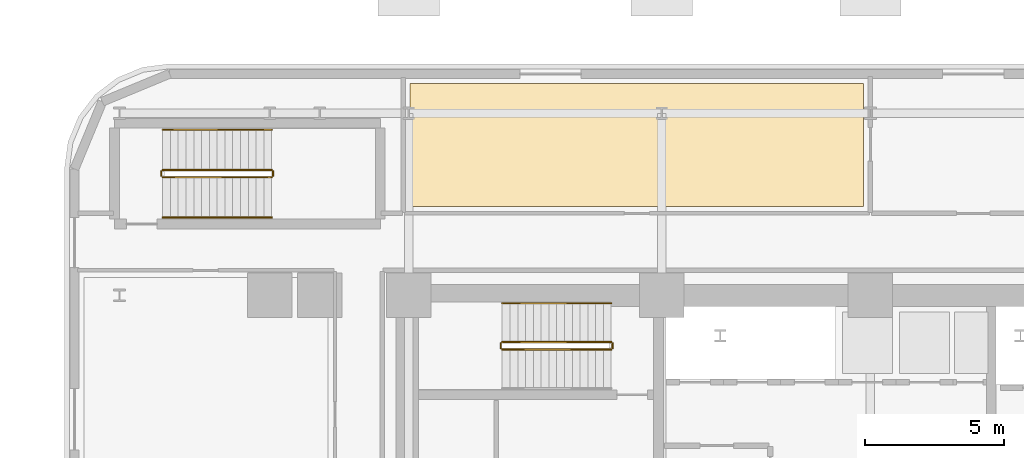
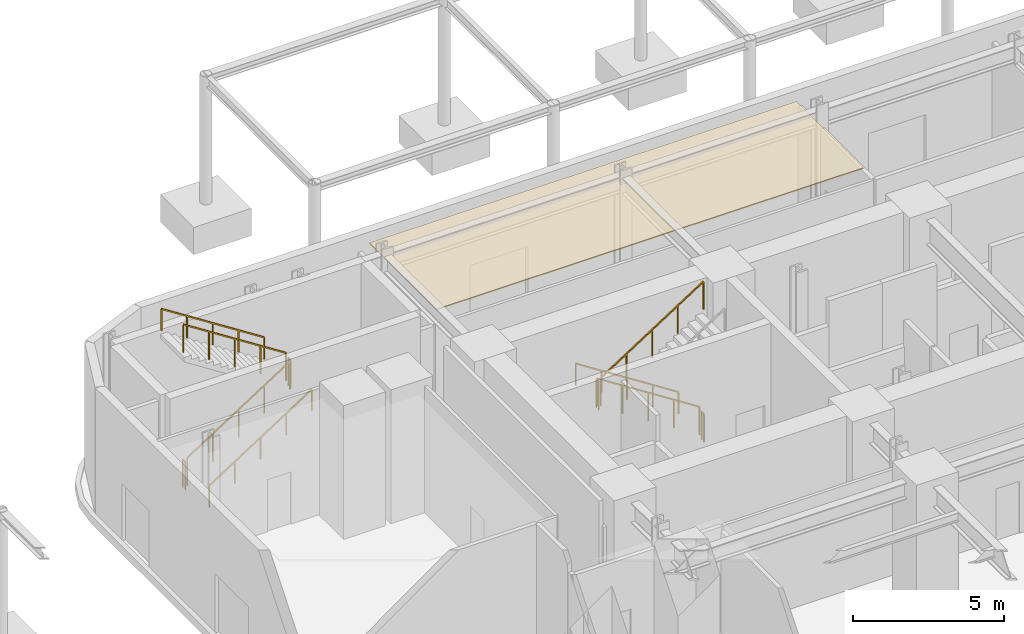
# One storey, part 18 of 21: 11 railings, 1 covering.
"""IFC4 building model written with IfcOpenShell, lengths in metres."""

from ifc_helpers import new_model, si_unit, direction, frame, origin, origin_2d, place, context, subcontext, project, spatial, polyline, rectangle, outline, extrude, material, layer, layer_set, type_object, element, save


model = new_model("IFC4")

# Units and contexts
model_context = context("Model", 3, precision=1e-05, world=origin(), true_north=direction((0.0, 1.0)))
body_context = subcontext(model_context, "Body", "Model", "MODEL_VIEW")
ifc_project = project(units=[si_unit("LENGTHUNIT", "METRE"), si_unit("AREAUNIT", "SQUARE_METRE"), si_unit("VOLUMEUNIT", "CUBIC_METRE"), si_unit("PLANEANGLEUNIT", "RADIAN"), si_unit("MASSUNIT", "GRAM", prefix="KILO")], contexts=[model_context])

# Site, building, storey
site_placement = place(None, origin())
site = spatial("IfcSite", under=ifc_project, at=site_placement, CompositionType="ELEMENT")
building_placement = place(site_placement, origin())
building = spatial("IfcBuilding", under=site, at=building_placement, Name="Zarnavel Station Tower", CompositionType="ELEMENT")
storey_placement = place(building_placement, origin())
storey = spatial("IfcBuildingStorey", under=building, at=storey_placement, Name="L01", CompositionType="ELEMENT", Elevation=0.0)

# Covering
ifc_material_1 = material(Name="Perforated Gypsum and Mineral-Wool Acoustic Ceiling", Category="concrete")
ifc_layer = layer(ifc_material_1, 0.0400390625)
ifc_layer_set = layer_set([ifc_layer], Name="COV_CEIL_ACOUSTIC")
covering_type = type_object("IfcCoveringType", Name="COV_CEIL_ACOUSTIC", PredefinedType="CEILING", material=ifc_layer_set)
covering_placement = place(storey_placement, frame((0.0, 0.0, 4.780029296875)))
element("IfcCovering", 1, at=covering_placement, inside=storey, type_object=covering_type, Name="L01 RLOB Acoustic Ceiling", PredefinedType="CEILING", context=body_context, shape_type="SweptSolid", body=[
    extrude(outline(polyline([(12.25, 40.25), (28.550048828125, 40.25), (28.550048828125, 44.669921875), (12.25, 44.669921875), (12.25, 40.25)])), origin(), (0.0, 0.0, 1.0), 0.0400390625),
])

# Railings
ifc_material_2 = material(Name="Painted Steel S355J2 Balustrade", Category="steel")
railing_type_1 = type_object("IfcRailingType", Name="GR_INT_1150", PredefinedType="GUARDRAIL", material=ifc_material_2)
railing_1_placement = place(storey_placement, frame((19.47998046875, 35.3701171875, 0.179931640625)))
element("IfcRailing", 2, at=railing_1_placement, inside=storey, type_object=railing_type_1, Name="L01 ST1 stair guard 1", PredefinedType="GUARDRAIL", context=body_context, shape_type="SweptSolid", body=[
    extrude(rectangle(XDim=0.048095703125, YDim=0.048095703125, at=origin_2d()), frame((-0.001708984375, 0.0, 1.126953125), z_axis=(-0.841171666519, 0.0, 0.540768182723), x_axis=(0.0, -1.0, 0.0)), (0.0, 0.0, 1.0), 4.656005859375),
    extrude(rectangle(XDim=0.0419921875, YDim=0.0419921875, at=origin_2d()), origin(), (0.0, 0.0, 1.0), 1.101806640625),
    extrude(rectangle(XDim=0.0419921875, YDim=0.0419921875, at=origin_2d()), frame((-0.97998046875, 0.0, 0.6298828125)), (0.0, 0.0, 1.0), 1.101806640625),
    extrude(rectangle(XDim=0.0419921875, YDim=0.0419921875, at=origin_2d()), frame((-1.9599609375, 0.0, 1.260009765625)), (0.0, 0.0, 1.0), 1.101806640625),
    extrude(rectangle(XDim=0.0419921875, YDim=0.0419921875, at=origin_2d()), frame((-2.93994140625, 0.0, 1.89013671875)), (0.0, 0.0, 1.0), 1.101806640625),
    extrude(rectangle(XDim=0.0419921875, YDim=0.0419921875, at=origin_2d()), frame((-3.919921875, 0.0, 2.52001953125)), (0.0, 0.0, 1.0), 1.101806640625),
])
railing_2_placement = place(storey_placement, frame((15.510009765625, 35.320068359375, 2.699951171875)))
element("IfcRailing", 3, at=railing_2_placement, inside=storey, type_object=railing_type_1, Name="L01 ST1 stair guard 2", PredefinedType="GUARDRAIL", context=body_context, shape_type="SweptSolid", body=[
    extrude(rectangle(XDim=0.048095703125, YDim=0.048095703125, at=origin_2d()), frame((0.0, -0.001953125, 1.1259765625), z_axis=(0.0, -1.0, 0.0), x_axis=(1.0, 0.0, 0.0)), (0.0, 0.0, 1.0), 0.15625),
    extrude(rectangle(XDim=0.0419921875, YDim=0.0419921875, at=origin_2d()), origin(), (0.0, 0.0, 1.0), 1.101806640625),
    extrude(rectangle(XDim=0.0419921875, YDim=0.0419921875, at=origin_2d()), frame((0.0, -0.16015625, 0.0)), (0.0, 0.0, 1.0), 1.101806640625),
])
railing_3_placement = place(storey_placement, frame((15.56005859375, 35.110107421875, 2.8798828125)))
element("IfcRailing", 4, at=railing_3_placement, inside=storey, type_object=railing_type_1, Name="L01 ST1 stair guard 3", PredefinedType="GUARDRAIL", context=body_context, shape_type="SweptSolid", body=[
    extrude(rectangle(XDim=0.048095703125, YDim=0.048095703125, at=origin_2d()), frame((0.001708984375, 0.0, 1.126953125), z_axis=(0.841171666519, 0.0, 0.540768182723), x_axis=(0.0, 1.0, 0.0)), (0.0, 0.0, 1.0), 4.656005859375),
    extrude(rectangle(XDim=0.0419921875, YDim=0.0419921875, at=origin_2d()), origin(), (0.0, 0.0, 1.0), 1.101806640625),
    extrude(rectangle(XDim=0.0419921875, YDim=0.0419921875, at=origin_2d()), frame((0.97998046875, 0.0, 0.6298828125)), (0.0, 0.0, 1.0), 1.101806640625),
    extrude(rectangle(XDim=0.0419921875, YDim=0.0419921875, at=origin_2d()), frame((1.9599609375, 0.0, 1.260009765625)), (0.0, 0.0, 1.0), 1.101806640625),
    extrude(rectangle(XDim=0.0419921875, YDim=0.0419921875, at=origin_2d()), frame((2.93994140625, 0.0, 1.89013671875)), (0.0, 0.0, 1.0), 1.101806640625),
    extrude(rectangle(XDim=0.0419921875, YDim=0.0419921875, at=origin_2d()), frame((3.919921875, 0.0, 2.52001953125)), (0.0, 0.0, 1.0), 1.101806640625),
])
railing_4_placement = place(storey_placement, frame((19.530029296875, 35.320068359375, 0.0)))
element("IfcRailing", 5, at=railing_4_placement, inside=storey, type_object=railing_type_1, Name="L01 ST1 stair guard 4", PredefinedType="GUARDRAIL", context=body_context, shape_type="SweptSolid", body=[
    extrude(rectangle(XDim=0.048095703125, YDim=0.048095703125, at=origin_2d()), frame((0.0, -0.001953125, 1.1259765625), z_axis=(0.0, -1.0, 0.0), x_axis=(1.0, 0.0, 0.0)), (0.0, 0.0, 1.0), 0.15625),
    extrude(rectangle(XDim=0.0419921875, YDim=0.0419921875, at=origin_2d()), origin(), (0.0, 0.0, 1.0), 1.101806640625),
    extrude(rectangle(XDim=0.0419921875, YDim=0.0419921875, at=origin_2d()), frame((0.0, -0.16015625, 0.0)), (0.0, 0.0, 1.0), 1.101806640625),
])
railing_5_placement = place(storey_placement, frame((3.35009765625, 41.300048828125, 0.179931640625)))
element("IfcRailing", 6, at=railing_5_placement, inside=storey, type_object=railing_type_1, Name="L01 ST4 stair guard 1", PredefinedType="GUARDRAIL", context=body_context, shape_type="SweptSolid", body=[
    extrude(rectangle(XDim=0.048095703125, YDim=0.048095703125, at=origin_2d()), frame((0.001708984375, 0.0, 1.126953125), z_axis=(0.841171666519, 0.0, 0.540768182723), x_axis=(0.0, 1.0, 0.0)), (0.0, 0.0, 1.0), 4.656005859375),
    extrude(rectangle(XDim=0.0419921875, YDim=0.0419921875, at=origin_2d()), origin(), (0.0, 0.0, 1.0), 1.101806640625),
    extrude(rectangle(XDim=0.0419921875, YDim=0.0419921875, at=origin_2d()), frame((0.97998046875, 0.0, 0.6298828125)), (0.0, 0.0, 1.0), 1.101806640625),
    extrude(rectangle(XDim=0.0419921875, YDim=0.0419921875, at=origin_2d()), frame((1.9599609375, 0.0, 1.260009765625)), (0.0, 0.0, 1.0), 1.101806640625),
    extrude(rectangle(XDim=0.0419921875, YDim=0.0419921875, at=origin_2d()), frame((2.93994140625, 0.0, 1.89013671875)), (0.0, 0.0, 1.0), 1.101806640625),
    extrude(rectangle(XDim=0.0419921875, YDim=0.0419921875, at=origin_2d()), frame((3.919921875, 0.0, 2.52001953125)), (0.0, 0.0, 1.0), 1.101806640625),
])
railing_6_placement = place(storey_placement, frame((7.320068359375, 41.35009765625, 2.699951171875)))
element("IfcRailing", 7, at=railing_6_placement, inside=storey, type_object=railing_type_1, Name="L01 ST4 stair guard 2", PredefinedType="GUARDRAIL", context=body_context, shape_type="SweptSolid", body=[
    extrude(rectangle(XDim=0.048095703125, YDim=0.048095703125, at=origin_2d()), frame((0.0, 0.001953125, 1.1259765625), z_axis=(0.0, 1.0, 0.0), x_axis=(-1.0, 0.0, 0.0)), (0.0, 0.0, 1.0), 0.156005859375),
    extrude(rectangle(XDim=0.0419921875, YDim=0.0419921875, at=origin_2d()), origin(), (0.0, 0.0, 1.0), 1.101806640625),
    extrude(rectangle(XDim=0.0419921875, YDim=0.0419921875, at=origin_2d()), frame((0.0, 0.159912109375, 0.0)), (0.0, 0.0, 1.0), 1.101806640625),
])
railing_7_placement = place(storey_placement, frame((7.27001953125, 41.56005859375, 2.8798828125)))
element("IfcRailing", 8, at=railing_7_placement, inside=storey, type_object=railing_type_1, Name="L01 ST4 stair guard 3", PredefinedType="GUARDRAIL", context=body_context, shape_type="SweptSolid", body=[
    extrude(rectangle(XDim=0.048095703125, YDim=0.048095703125, at=origin_2d()), frame((-0.001708984375, 0.0, 1.126953125), z_axis=(-0.841171666519, 0.0, 0.540768182723), x_axis=(0.0, -1.0, 0.0)), (0.0, 0.0, 1.0), 4.656005859375),
    extrude(rectangle(XDim=0.0419921875, YDim=0.0419921875, at=origin_2d()), origin(), (0.0, 0.0, 1.0), 1.101806640625),
    extrude(rectangle(XDim=0.0419921875, YDim=0.0419921875, at=origin_2d()), frame((-0.97998046875, 0.0, 0.6298828125)), (0.0, 0.0, 1.0), 1.101806640625),
    extrude(rectangle(XDim=0.0419921875, YDim=0.0419921875, at=origin_2d()), frame((-1.9599609375, 0.0, 1.260009765625)), (0.0, 0.0, 1.0), 1.101806640625),
    extrude(rectangle(XDim=0.0419921875, YDim=0.0419921875, at=origin_2d()), frame((-2.93994140625, 0.0, 1.89013671875)), (0.0, 0.0, 1.0), 1.101806640625),
    extrude(rectangle(XDim=0.0419921875, YDim=0.0419921875, at=origin_2d()), frame((-3.919921875, 0.0, 2.52001953125)), (0.0, 0.0, 1.0), 1.101806640625),
])
railing_8_placement = place(storey_placement, frame((3.300048828125, 41.35009765625, 0.0)))
element("IfcRailing", 9, at=railing_8_placement, inside=storey, type_object=railing_type_1, Name="L01 ST4 stair guard 4", PredefinedType="GUARDRAIL", context=body_context, shape_type="SweptSolid", body=[
    extrude(rectangle(XDim=0.048095703125, YDim=0.048095703125, at=origin_2d()), frame((0.0, 0.001953125, 1.1259765625), z_axis=(0.0, 1.0, 0.0), x_axis=(-1.0, 0.0, 0.0)), (0.0, 0.0, 1.0), 0.156005859375),
    extrude(rectangle(XDim=0.0419921875, YDim=0.0419921875, at=origin_2d()), origin(), (0.0, 0.0, 1.0), 1.101806640625),
    extrude(rectangle(XDim=0.0419921875, YDim=0.0419921875, at=origin_2d()), frame((0.0, 0.159912109375, 0.0)), (0.0, 0.0, 1.0), 1.101806640625),
])
ifc_material_3 = material(Name="Brushed Stainless Steel S355J2 Handrail", Category="steel")
railing_type_2 = type_object("IfcRailingType", Name="HR_STAIR_900", PredefinedType="HANDRAIL", material=ifc_material_3)
railing_9_placement = place(storey_placement, frame((19.47998046875, 36.77001953125, 0.179931640625)))
element("IfcRailing", 10, at=railing_9_placement, inside=storey, type_object=railing_type_2, Name="L01 ST1 stair handrail 1", PredefinedType="HANDRAIL", context=body_context, shape_type="SweptSolid", body=[
    extrude(rectangle(XDim=0.048095703125, YDim=0.048095703125, at=origin_2d()), frame((-0.001708984375, 0.0, 0.876953125), z_axis=(-0.841171666519, 0.0, 0.540768182723), x_axis=(0.0, -1.0, 0.0)), (0.0, 0.0, 1.0), 4.656005859375),
    extrude(rectangle(XDim=0.0419921875, YDim=0.0419921875, at=origin_2d()), origin(), (0.0, 0.0, 1.0), 0.851806640625),
    extrude(rectangle(XDim=0.0419921875, YDim=0.0419921875, at=origin_2d()), frame((-0.97998046875, 0.0, 0.6298828125)), (0.0, 0.0, 1.0), 0.851806640625),
    extrude(rectangle(XDim=0.0419921875, YDim=0.0419921875, at=origin_2d()), frame((-1.9599609375, 0.0, 1.260009765625)), (0.0, 0.0, 1.0), 0.851806640625),
    extrude(rectangle(XDim=0.0419921875, YDim=0.0419921875, at=origin_2d()), frame((-2.93994140625, 0.0, 1.89013671875)), (0.0, 0.0, 1.0), 0.851806640625),
    extrude(rectangle(XDim=0.0419921875, YDim=0.0419921875, at=origin_2d()), frame((-3.919921875, 0.0, 2.52001953125)), (0.0, 0.0, 1.0), 0.851806640625),
])
railing_10_placement = place(storey_placement, frame((3.35009765625, 39.85009765625, 0.179931640625)))
element("IfcRailing", 11, at=railing_10_placement, inside=storey, type_object=railing_type_2, Name="L01 ST4 stair handrail 1", PredefinedType="HANDRAIL", context=body_context, shape_type="SweptSolid", body=[
    extrude(rectangle(XDim=0.048095703125, YDim=0.048095703125, at=origin_2d()), frame((0.001708984375, 0.0, 0.876953125), z_axis=(0.841171666519, 0.0, 0.540768182723), x_axis=(0.0, 1.0, 0.0)), (0.0, 0.0, 1.0), 4.656005859375),
    extrude(rectangle(XDim=0.0419921875, YDim=0.0419921875, at=origin_2d()), origin(), (0.0, 0.0, 1.0), 0.851806640625),
    extrude(rectangle(XDim=0.0419921875, YDim=0.0419921875, at=origin_2d()), frame((0.97998046875, 0.0, 0.6298828125)), (0.0, 0.0, 1.0), 0.851806640625),
    extrude(rectangle(XDim=0.0419921875, YDim=0.0419921875, at=origin_2d()), frame((1.9599609375, 0.0, 1.260009765625)), (0.0, 0.0, 1.0), 0.851806640625),
    extrude(rectangle(XDim=0.0419921875, YDim=0.0419921875, at=origin_2d()), frame((2.93994140625, 0.0, 1.89013671875)), (0.0, 0.0, 1.0), 0.851806640625),
    extrude(rectangle(XDim=0.0419921875, YDim=0.0419921875, at=origin_2d()), frame((3.919921875, 0.0, 2.52001953125)), (0.0, 0.0, 1.0), 0.851806640625),
])
railing_11_placement = place(storey_placement, frame((7.27001953125, 43.010009765625, 2.8798828125)))
element("IfcRailing", 12, at=railing_11_placement, inside=storey, type_object=railing_type_2, Name="L01 ST4 stair handrail 2", PredefinedType="HANDRAIL", context=body_context, shape_type="SweptSolid", body=[
    extrude(rectangle(XDim=0.048095703125, YDim=0.048095703125, at=origin_2d()), frame((-0.001708984375, 0.0, 0.876953125), z_axis=(-0.841171666519, 0.0, 0.540768182723), x_axis=(0.0, -1.0, 0.0)), (0.0, 0.0, 1.0), 4.656005859375),
    extrude(rectangle(XDim=0.0419921875, YDim=0.0419921875, at=origin_2d()), origin(), (0.0, 0.0, 1.0), 0.851806640625),
    extrude(rectangle(XDim=0.0419921875, YDim=0.0419921875, at=origin_2d()), frame((-0.97998046875, 0.0, 0.6298828125)), (0.0, 0.0, 1.0), 0.851806640625),
    extrude(rectangle(XDim=0.0419921875, YDim=0.0419921875, at=origin_2d()), frame((-1.9599609375, 0.0, 1.260009765625)), (0.0, 0.0, 1.0), 0.851806640625),
    extrude(rectangle(XDim=0.0419921875, YDim=0.0419921875, at=origin_2d()), frame((-2.93994140625, 0.0, 1.89013671875)), (0.0, 0.0, 1.0), 0.851806640625),
    extrude(rectangle(XDim=0.0419921875, YDim=0.0419921875, at=origin_2d()), frame((-3.919921875, 0.0, 2.52001953125)), (0.0, 0.0, 1.0), 0.851806640625),
])

save(model, "model.ifc")
